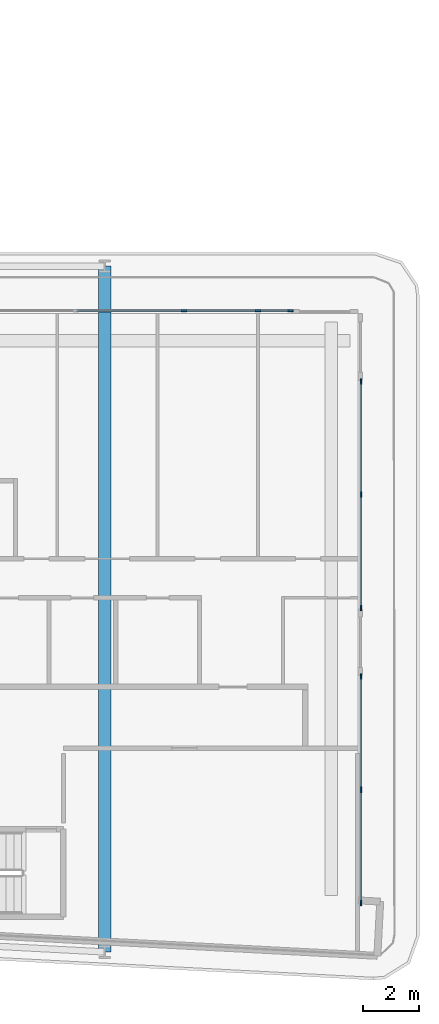
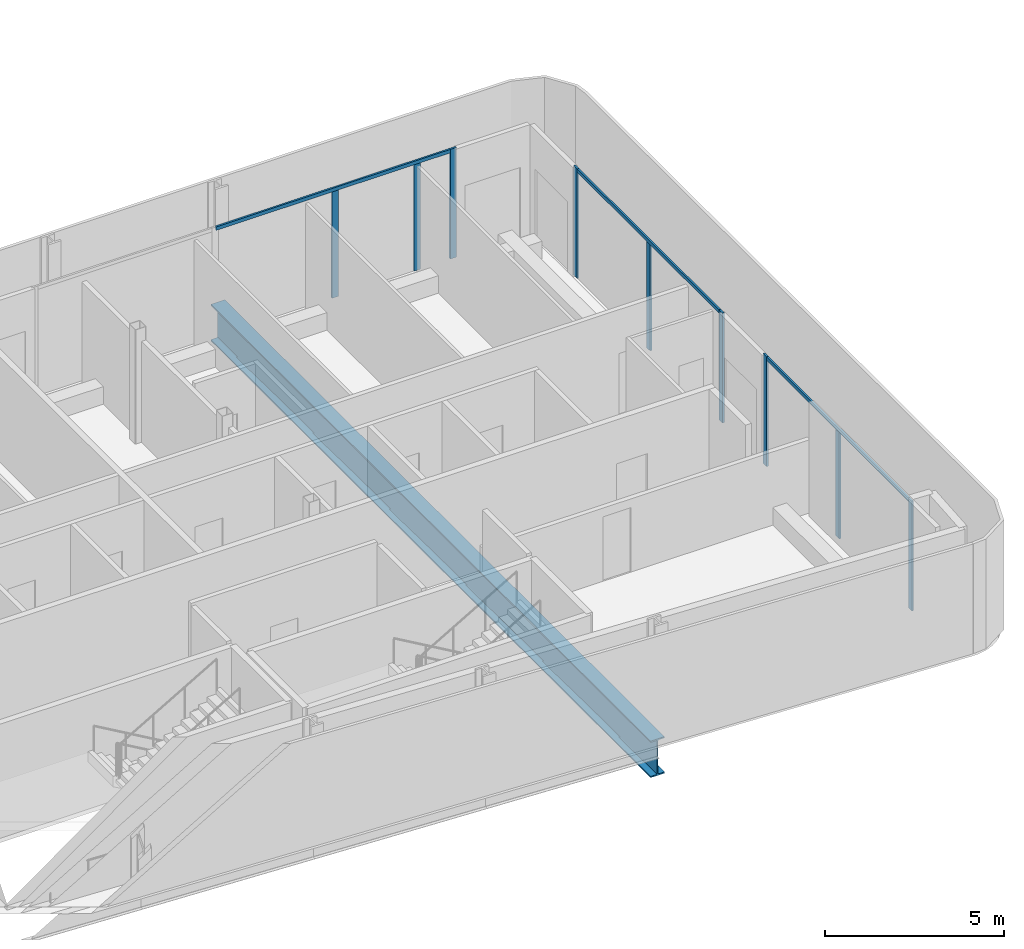
# One storey, part 8 of 29: 12 members, 1 beam, 3 elements without a shape of their own.
"""IFC4 building model written with IfcOpenShell, lengths in metres."""

from ifc_helpers import new_model, si_unit, direction, frame, origin, origin_2d, place, context, subcontext, project, spatial, rectangle, i_section, extrude, material, layer, layer_set, material_profile, profile_set, type_object, element, aggregate, save


model = new_model("IFC4")

# Units and contexts
model_context = context("Model", 3, precision=1e-05, world=origin(), true_north=direction((0.0, 1.0)))
body_context = subcontext(model_context, "Body", "Model", "MODEL_VIEW")
ifc_project = project(units=[si_unit("LENGTHUNIT", "METRE"), si_unit("AREAUNIT", "SQUARE_METRE"), si_unit("VOLUMEUNIT", "CUBIC_METRE"), si_unit("PLANEANGLEUNIT", "RADIAN"), si_unit("MASSUNIT", "GRAM", prefix="KILO")], contexts=[model_context])

# Site, building, storey
site_placement = place(None, origin())
site = spatial("IfcSite", under=ifc_project, at=site_placement, CompositionType="ELEMENT")
building_placement = place(site_placement, origin())
building = spatial("IfcBuilding", under=site, at=building_placement, Name="Kheshtan School and Residences Tower", CompositionType="ELEMENT")
storey_placement = place(building_placement, frame((0.0, 0.0, 117.5)))
storey = spatial("IfcBuildingStorey", under=building, at=storey_placement, Name="L27", CompositionType="ELEMENT", Elevation=117.5)

# Curtain wall, members
ifc_material_1 = material(Name="Clear low-e glass in thermally broken aluminium frame", Category="aluminium")
ifc_layer = layer(ifc_material_1, 0.199951171875)
ifc_layer_set = layer_set([ifc_layer], Name="Curtain wall CW-L")
curtain_wall_type = type_object("IfcCurtainWallType", Name="Curtain wall CW-L", PredefinedType="NOTDEFINED", material=ifc_layer_set)
curtain_wall_1_placement = place(storey_placement, origin())
curtain_wall_1 = element("IfcCurtainWall", 1, at=curtain_wall_1_placement, inside=storey, type_object=curtain_wall_type, Name="Curtain wall CWL12k", PredefinedType="NOTDEFINED")
ifc_material_2 = material(Name="Thermally broken aluminium, dark bronze anodised", Category="aluminium")
ifc_material_profile_1 = material_profile(ifc_material_2, rectangle(XDim=0.06005859375, YDim=0.199951171875, at=origin_2d()), Name="CW-L mullion 60x200")
ifc_profile_set_1 = profile_set([ifc_material_profile_1], Name="Thermally broken aluminium, dark bronze anodised")
member_type_1 = type_object("IfcMemberType", Name="CW-L mullion 60x200", PredefinedType="MULLION", material=ifc_profile_set_1)
member_1_placement = place(storey_placement, frame((93.653076171875, 44.0, 0.0), z_axis=(0.0, 0.0, 1.0), x_axis=(0.0, 1.0, 0.0)))
member_1 = element("IfcMember", 2, at=member_1_placement, type_object=member_type_1, Name="CWL12k mullion 2", PredefinedType="MULLION", context=body_context, shape_type="SweptSolid", body=[
    extrude(rectangle(XDim=0.06005859375, YDim=0.199951171875, at=origin_2d()), origin(), (0.0, 0.0, 1.0), 3.6298828125),
])
member_2_placement = place(storey_placement, frame((96.300048828125, 44.0, 0.0), z_axis=(0.0, 0.0, 1.0), x_axis=(0.0, 1.0, 0.0)))
member_2 = element("IfcMember", 3, at=member_2_placement, type_object=member_type_1, Name="CWL12k mullion 3", PredefinedType="MULLION", context=body_context, shape_type="SweptSolid", body=[
    extrude(rectangle(XDim=0.06005859375, YDim=0.199951171875, at=origin_2d()), origin(), (0.0, 0.0, 1.0), 3.6298828125),
])
member_3_placement = place(storey_placement, frame((97.469970703125, 44.0, 0.0), z_axis=(0.0, 0.0, 1.0), x_axis=(0.0, 1.0, 0.0)))
member_3 = element("IfcMember", 4, at=member_3_placement, type_object=member_type_1, Name="CWL12k mullion 4", PredefinedType="MULLION", context=body_context, shape_type="SweptSolid", body=[
    extrude(rectangle(XDim=0.06005859375, YDim=0.199951171875, at=origin_2d()), origin(), (0.0, 0.0, 1.0), 3.75),
])

curtain_wall_2_placement = place(storey_placement, origin())
curtain_wall_2 = element("IfcCurtainWall", 5, at=curtain_wall_2_placement, inside=storey, type_object=curtain_wall_type, Name="Curtain wall CWL13b", PredefinedType="NOTDEFINED")
member_4_placement = place(storey_placement, frame((100.0, 41.469970703125, 0.0), z_axis=(0.0, 0.0, 1.0), x_axis=(1.0, 0.0, 0.0)))
member_4 = element("IfcMember", 6, at=member_4_placement, type_object=member_type_1, Name="CWL13b mullion 1", PredefinedType="MULLION", context=body_context, shape_type="SweptSolid", body=[
    extrude(rectangle(XDim=0.06005859375, YDim=0.199951171875, at=origin_2d()), origin(), (0.0, 0.0, 1.0), 3.75),
])
member_5_placement = place(storey_placement, frame((100.0, 37.403564453125, 0.0), z_axis=(0.0, 0.0, 1.0), x_axis=(1.0, 0.0, 0.0)))
member_5 = element("IfcMember", 7, at=member_5_placement, type_object=member_type_1, Name="CWL13b mullion 2", PredefinedType="MULLION", context=body_context, shape_type="SweptSolid", body=[
    extrude(rectangle(XDim=0.06005859375, YDim=0.199951171875, at=origin_2d()), origin(), (0.0, 0.0, 1.0), 3.6298828125),
])
member_6_placement = place(storey_placement, frame((100.0, 33.3369140625, 0.0), z_axis=(0.0, 0.0, 1.0), x_axis=(1.0, 0.0, 0.0)))
member_6 = element("IfcMember", 8, at=member_6_placement, type_object=member_type_1, Name="CWL13b mullion 3", PredefinedType="MULLION", context=body_context, shape_type="SweptSolid", body=[
    extrude(rectangle(XDim=0.06005859375, YDim=0.199951171875, at=origin_2d()), origin(), (0.0, 0.0, 1.0), 3.75),
])

curtain_wall_3_placement = place(storey_placement, origin())
curtain_wall_3 = element("IfcCurtainWall", 9, at=curtain_wall_3_placement, inside=storey, type_object=curtain_wall_type, Name="Curtain wall CWL13b", PredefinedType="NOTDEFINED")
member_7_placement = place(storey_placement, frame((100.0, 30.876953125, 0.0), z_axis=(0.0, 0.0, 1.0), x_axis=(1.0, 0.0, 0.0)))
member_7 = element("IfcMember", 10, at=member_7_placement, type_object=member_type_1, Name="CWL13b mullion 1", PredefinedType="MULLION", context=body_context, shape_type="SweptSolid", body=[
    extrude(rectangle(XDim=0.06005859375, YDim=0.199951171875, at=origin_2d()), origin(), (0.0, 0.0, 1.0), 3.75),
])
member_8_placement = place(storey_placement, frame((100.0, 26.810546875, 0.0), z_axis=(0.0, 0.0, 1.0), x_axis=(1.0, 0.0, 0.0)))
member_8 = element("IfcMember", 11, at=member_8_placement, type_object=member_type_1, Name="CWL13b mullion 2", PredefinedType="MULLION", context=body_context, shape_type="SweptSolid", body=[
    extrude(rectangle(XDim=0.06005859375, YDim=0.199951171875, at=origin_2d()), origin(), (0.0, 0.0, 1.0), 3.6298828125),
])
member_9_placement = place(storey_placement, frame((100.0, 22.743896484375, 0.0), z_axis=(0.0, 0.0, 1.0), x_axis=(1.0, 0.0, 0.0)))
member_9 = element("IfcMember", 12, at=member_9_placement, type_object=member_type_1, Name="CWL13b mullion 3", PredefinedType="MULLION", context=body_context, shape_type="SweptSolid", body=[
    extrude(rectangle(XDim=0.06005859375, YDim=0.199951171875, at=origin_2d()), origin(), (0.0, 0.0, 1.0), 3.75),
])

# Member
ifc_material_profile_2 = material_profile(ifc_material_2, rectangle(XDim=0.06005859375, YDim=0.1201171875, at=origin_2d()), Name="CW-L transom 60x120")
ifc_profile_set_2 = profile_set([ifc_material_profile_2], Name="Thermally broken aluminium, dark bronze anodised")
member_type_2 = type_object("IfcMemberType", Name="CW-L transom 60x120", PredefinedType="USERDEFINED", material=ifc_profile_set_2)
member_10_placement = place(storey_placement, frame((89.805908203125, 44.0, 3.68994140625), z_axis=(1.0, 0.0, 0.0), x_axis=(0.0, 1.0, 0.0)))
member_10 = element("IfcMember", 13, at=member_10_placement, type_object=member_type_2, Name="CWL12k transom 1", ObjectType="TRANSOM", PredefinedType="USERDEFINED", context=body_context, shape_type="SweptSolid", body=[
    extrude(rectangle(XDim=0.06005859375, YDim=0.1201171875, at=origin_2d()), origin(), (0.0, 0.0, 1.0), 7.634033203125),
])

aggregate(curtain_wall_1, [member_1, member_2, member_3, member_10])

member_11_placement = place(storey_placement, frame((100.0, 41.43994140625, 3.68994140625), z_axis=(0.0, -1.0, 0.0), x_axis=(1.0, 0.0, 0.0)))
member_11 = element("IfcMember", 14, at=member_11_placement, type_object=member_type_2, Name="CWL13b transom 1", ObjectType="TRANSOM", PredefinedType="USERDEFINED", context=body_context, shape_type="SweptSolid", body=[
    extrude(rectangle(XDim=0.06005859375, YDim=0.1201171875, at=origin_2d()), origin(), (0.0, 0.0, 1.0), 8.072998046875),
])

aggregate(curtain_wall_2, [member_4, member_5, member_6, member_11])

member_12_placement = place(storey_placement, frame((100.0, 30.846923828125, 3.68994140625), z_axis=(0.0, -1.0, 0.0), x_axis=(1.0, 0.0, 0.0)))
member_12 = element("IfcMember", 15, at=member_12_placement, type_object=member_type_2, Name="CWL13b transom 1", ObjectType="TRANSOM", PredefinedType="USERDEFINED", context=body_context, shape_type="SweptSolid", body=[
    extrude(rectangle(XDim=0.06005859375, YDim=0.1201171875, at=origin_2d()), origin(), (0.0, 0.0, 1.0), 8.072998046875),
])

aggregate(curtain_wall_3, [member_7, member_8, member_9, member_12])

# Beam
ifc_material_3 = material(Name="Steel ASTM A992 Grade 50", Category="steel")
ifc_material_profile_3 = material_profile(ifc_material_3, i_section(OverallWidth=0.449951171875, OverallDepth=1.25, WebThickness=0.02490234375, FlangeThickness=0.044921875, FilletRadius=0.03759765625, at=origin_2d()), Name="WWF1250x546")
ifc_profile_set_3 = profile_set([ifc_material_profile_3], Name="Steel ASTM A992 Grade 50")
beam_type = type_object("IfcBeamType", Name="Transfer girder TG4 WWF1250x546 ASTM A992 Grade 50", PredefinedType="BEAM", material=ifc_profile_set_3)
beam_placement = place(storey_placement, frame((90.800048828125, 45.60009765625, -0.77490234375), z_axis=(0.0, -1.0, 0.0), x_axis=(1.0, 0.0, 0.0)))
element("IfcBeam", 16, at=beam_placement, inside=storey, type_object=beam_type, Name="Transfer girder C068-C006", PredefinedType="BEAM", context=body_context, shape_type="SweptSolid", body=[
    extrude(i_section(OverallWidth=0.449951171875, OverallDepth=1.25, WebThickness=0.02490234375, FlangeThickness=0.044921875, FilletRadius=0.03759765625, at=origin_2d()), origin(), (0.0, 0.0, 1.0), 24.610107421875),
])

save(model, "model.ifc")
